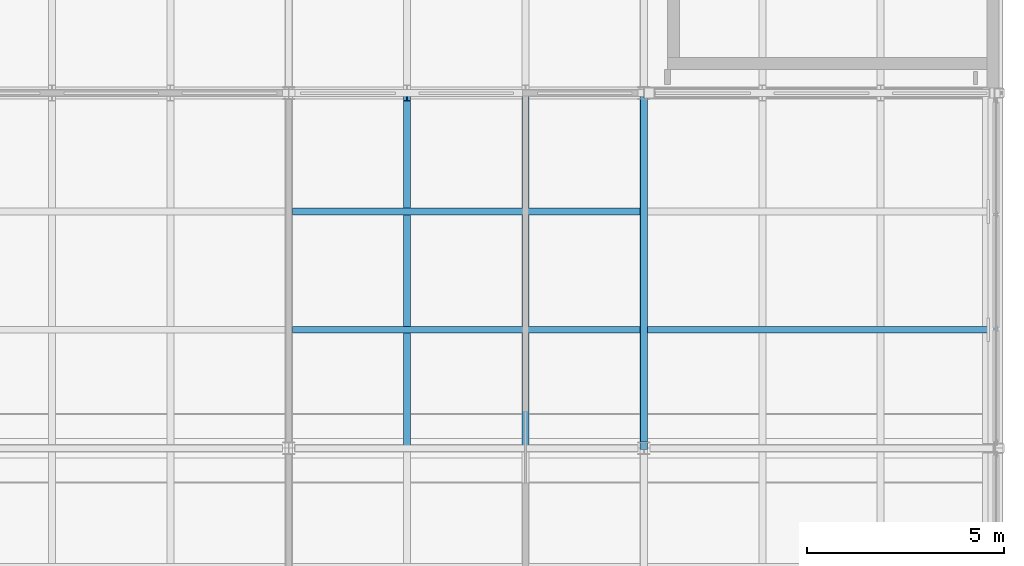
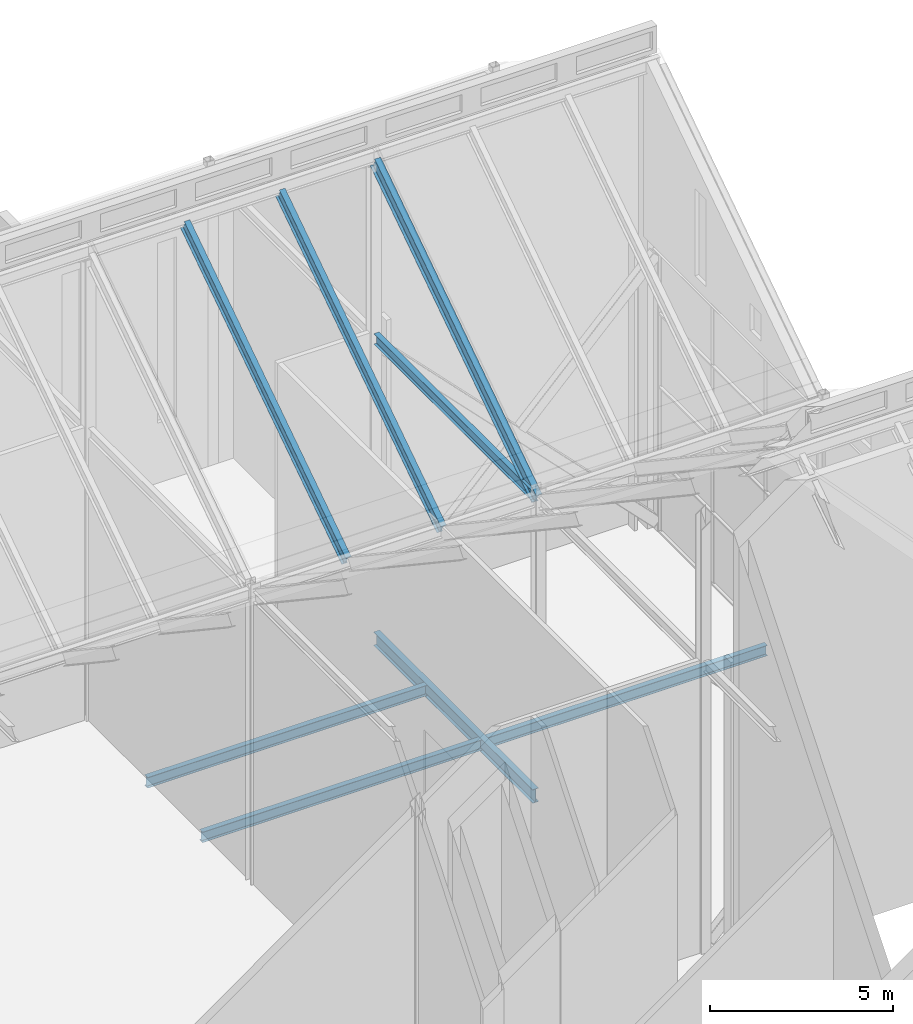
# One storey, part 74 of 111: 5 beams, 3 members.
"""IFC4 building model written with IfcOpenShell, lengths in metres."""

from ifc_helpers import new_model, si_unit, direction, frame, origin, origin_2d, place, context, subcontext, project, spatial, i_section, extrude, material, material_profile, profile_set, type_object, element, save


model = new_model("IFC4")

# Units and contexts
model_context = context("Model", 3, precision=1e-05, world=origin(), true_north=direction((0.0, 1.0)))
body_context = subcontext(model_context, "Body", "Model", "MODEL_VIEW")
ifc_project = project(units=[si_unit("LENGTHUNIT", "METRE"), si_unit("AREAUNIT", "SQUARE_METRE"), si_unit("VOLUMEUNIT", "CUBIC_METRE"), si_unit("PLANEANGLEUNIT", "RADIAN"), si_unit("MASSUNIT", "GRAM", prefix="KILO")], contexts=[model_context])

# Site, building, storey
site_placement = place(None, origin())
site = spatial("IfcSite", under=ifc_project, at=site_placement, CompositionType="ELEMENT")
building_placement = place(site_placement, origin())
building = spatial("IfcBuilding", under=site, at=building_placement, Name="Shorebreak Coast Museum", CompositionType="ELEMENT")
storey_placement = place(building_placement, frame((0.0, 0.0, 16.0)))
storey = spatial("IfcBuildingStorey", under=building, at=storey_placement, Name="L03", CompositionType="ELEMENT", Elevation=16.0)

# Beams
ifc_material_1 = material(Name="Steel Grade 300", Category="steel")
ifc_material_profile_1 = material_profile(ifc_material_1, i_section(OverallWidth=0.18994140625, OverallDepth=0.453857421875, WebThickness=0.008544921875, FlangeThickness=0.0126953125, FilletRadius=0.011474609375, at=origin_2d()), Name="460UB67.1")
ifc_profile_set_1 = profile_set([ifc_material_profile_1], Name="Steel Grade 300")
beam_type_1 = type_object("IfcBeamType", Name="Floor girder north-south 460UB67.1", PredefinedType="BEAM", material=ifc_profile_set_1)
beam_1_placement = place(storey_placement, frame((162.0, 72.1572265625, -0.40185546875), z_axis=(0.0, 1.0, 0.0), x_axis=(-1.0, 0.0, 0.0)))
element("IfcBeam", 1, at=beam_1_placement, inside=storey, type_object=beam_type_1, Name="Floor girder north-south L03 19J", PredefinedType="BEAM", context=body_context, shape_type="SweptSolid", body=[
    extrude(i_section(OverallWidth=0.18994140625, OverallDepth=0.453857421875, WebThickness=0.008544921875, FlangeThickness=0.0126953125, FilletRadius=0.011474609375, at=origin_2d()), origin(), (0.0, 0.0, 1.0), 8.685546875),
])
ifc_material_2 = material(Name="Steel Grade 300", Category="steel")
ifc_material_profile_2 = material_profile(ifc_material_2, i_section(OverallWidth=0.1708984375, OverallDepth=0.35205078125, WebThickness=0.0068359375, FlangeThickness=0.009765625, FilletRadius=0.011474609375, at=origin_2d()), Name="360UB44.7")
ifc_profile_set_2 = profile_set([ifc_material_profile_2], Name="Steel Grade 300")
beam_type_2 = type_object("IfcBeamType", Name="Floor joist 360UB44.7", PredefinedType="JOIST", material=ifc_profile_set_2)
for number, where, z_axis, x_axis, name in (
    (2, (153.094970703125, 75.0, -0.35107421875), (1.0, 0.0, 0.0), (0.0, 1.0, 0.0), "Floor joist L03 bay 18J at 3000 mm"),
    (3, (153.094970703125, 78.0, -0.35107421875), (1.0, 0.0, 0.0), (0.0, 1.0, 0.0), "Floor joist L03 bay 18J at 6000 mm"),
    (4, (162.094970703125, 75.0, -0.35107421875), (1.0, 0.0, 0.0), (0.0, 1.0, 0.0), "Floor joist L03 bay 19J at 3000 mm"),
):
    element("IfcBeam", number, at=place(storey_placement, frame(where, z_axis=z_axis, x_axis=x_axis)), inside=storey, type_object=beam_type_2, Name=name, PredefinedType="JOIST", context=body_context, shape_type="SweptSolid", body=[
        extrude(i_section(OverallWidth=0.1708984375, OverallDepth=0.35205078125, WebThickness=0.0068359375, FlangeThickness=0.009765625, FilletRadius=0.011474609375, at=origin_2d()), origin(), (0.0, 0.0, 1.0), 8.81005859375),
    ])

# Members
ifc_material_3 = material(Name="Steel Grade 300", Category="steel")
ifc_material_profile_3 = material_profile(ifc_material_3, i_section(OverallWidth=0.177978515625, OverallDepth=0.402587890625, WebThickness=0.007568359375, FlangeThickness=0.010986328125, FilletRadius=0.011474609375, at=origin_2d()), Name="410UB53.7")
ifc_profile_set_3 = profile_set([ifc_material_profile_3], Name="Steel Grade 300")
member_type_1 = type_object("IfcMemberType", Name="Fold rafter 410UB53.7", PredefinedType="RAFTER", material=ifc_profile_set_3)
for number, where, z_axis, x_axis, name in (
    (5, (156.0, 80.910888671875, 15.458251953125), (0.0, -0.832043209162, -0.554710823842), (1.0, 0.0, 0.0), "Fold rafter FOLD-E line 3 14"),
    (6, (159.0, 80.910888671875, 15.458251953125), (0.0, -0.832043209162, -0.554710823842), (1.0, 0.0, 0.0), "Fold rafter FOLD-E line 3 15"),
):
    element("IfcMember", number, at=place(storey_placement, frame(where, z_axis=z_axis, x_axis=x_axis)), inside=storey, type_object=member_type_1, Name=name, PredefinedType="RAFTER", context=body_context, shape_type="SweptSolid", body=[
        extrude(i_section(OverallWidth=0.177978515625, OverallDepth=0.402587890625, WebThickness=0.007568359375, FlangeThickness=0.010986328125, FilletRadius=0.011474609375, at=origin_2d()), origin(), (0.0, 0.0, 1.0), 10.6025390625),
    ])
ifc_material_4 = material(Name="Steel Grade 300", Category="steel")
ifc_material_profile_4 = material_profile(ifc_material_4, i_section(OverallWidth=0.18994140625, OverallDepth=0.453857421875, WebThickness=0.008544921875, FlangeThickness=0.0126953125, FilletRadius=0.011474609375, at=origin_2d()), Name="460UB67.1")
ifc_profile_set_4 = profile_set([ifc_material_profile_4], Name="Steel Grade 300")
member_type_2 = type_object("IfcMemberType", Name="Fold rib rafter 460UB67.1", PredefinedType="RAFTER", material=ifc_profile_set_4)
member_placement = place(storey_placement, frame((162.0, 80.910888671875, 15.427490234375), z_axis=(0.0, -0.832043209162, -0.554710823842), x_axis=(1.0, 0.0, 0.0)))
element("IfcMember", 7, at=member_placement, inside=storey, type_object=member_type_2, Name="Fold rib rafter FOLD-E line 3 16", PredefinedType="RAFTER", context=body_context, shape_type="SweptSolid", body=[
    extrude(i_section(OverallWidth=0.18994140625, OverallDepth=0.453857421875, WebThickness=0.008544921875, FlangeThickness=0.0126953125, FilletRadius=0.011474609375, at=origin_2d()), origin(), (0.0, 0.0, 1.0), 10.6025390625),
])

# Beam
ifc_material_5 = material(Name="Steel Grade 300", Category="steel")
ifc_material_profile_5 = material_profile(ifc_material_5, i_section(OverallWidth=0.1708984375, OverallDepth=0.35205078125, WebThickness=0.0068359375, FlangeThickness=0.009765625, FilletRadius=0.011474609375, at=origin_2d()), Name="360UB44.7")
ifc_profile_set_5 = profile_set([ifc_material_profile_5], Name="Steel Grade 300")
beam_type_3 = type_object("IfcBeamType", Name="Fold rib tie 360UB44.7", PredefinedType="BEAM", material=ifc_profile_set_5)
beam_2_placement = place(storey_placement, frame((162.0, 72.154052734375, 9.58349609375), z_axis=(0.0, 1.0, 0.0), x_axis=(-1.0, 0.0, 0.0)))
element("IfcBeam", 8, at=beam_2_placement, inside=storey, type_object=beam_type_3, Name="Fold rib tie FOLD-E rib 19 J-K", PredefinedType="BEAM", context=body_context, shape_type="SweptSolid", body=[
    extrude(i_section(OverallWidth=0.1708984375, OverallDepth=0.35205078125, WebThickness=0.0068359375, FlangeThickness=0.009765625, FilletRadius=0.011474609375, at=origin_2d()), origin(), (0.0, 0.0, 1.0), 8.69189453125),
])

save(model, "model.ifc")
